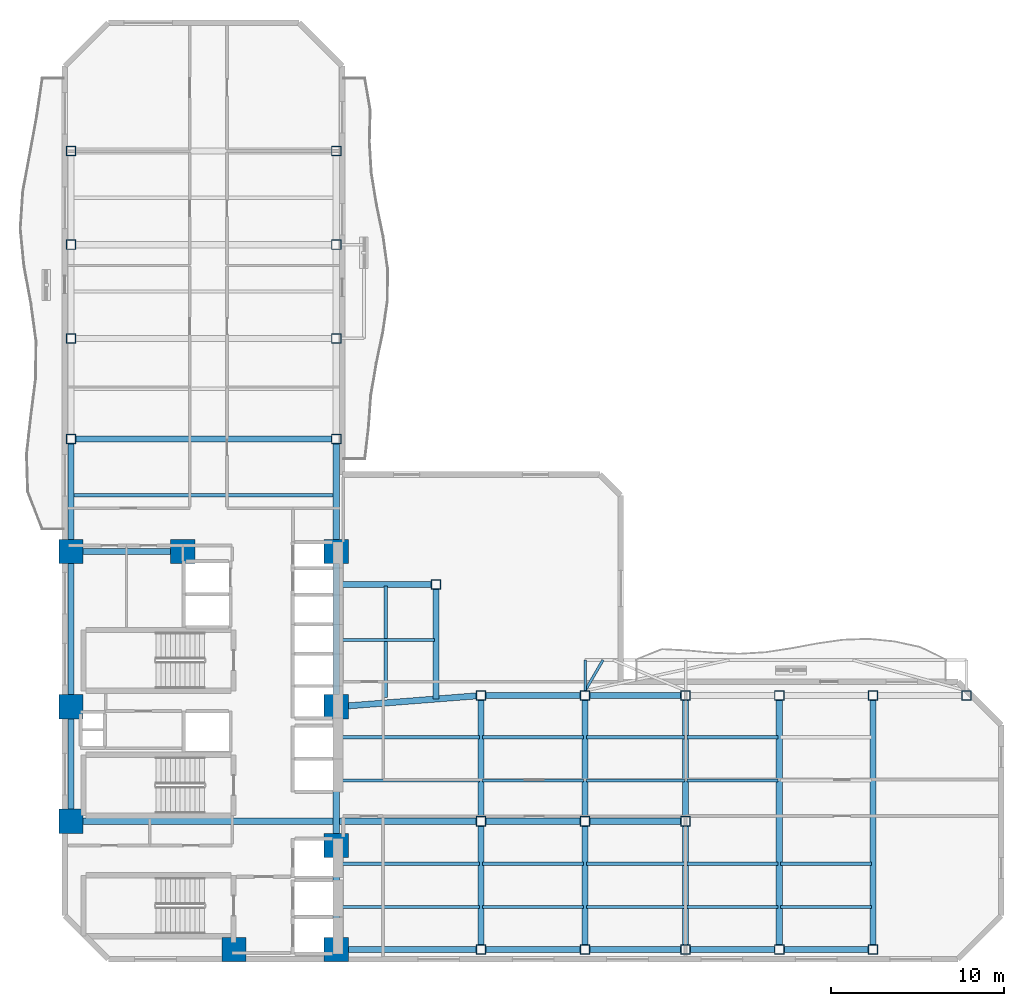
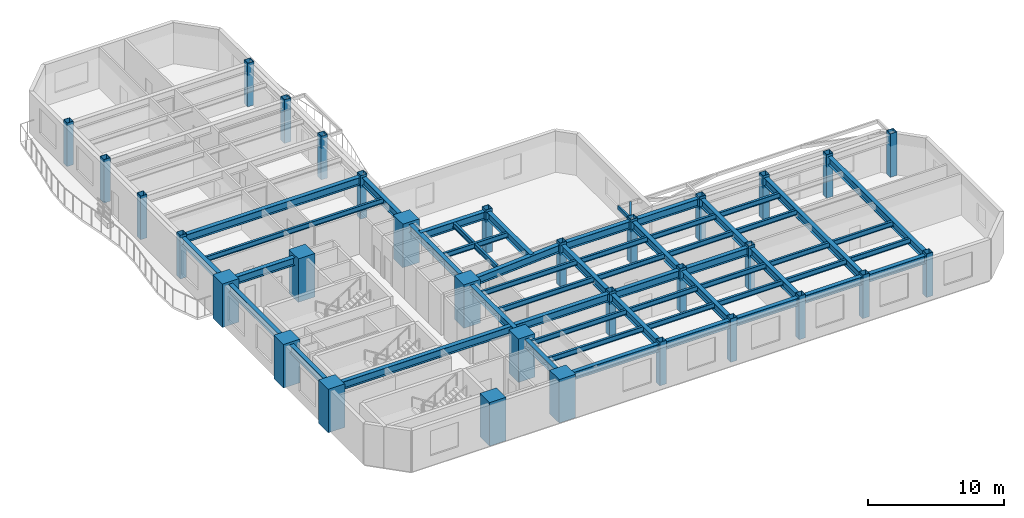
# One storey, part 1 of 10: 53 beams, 32 columns.
"""IFC4 building model written with IfcOpenShell, lengths in metres."""

from ifc_helpers import new_model, si_unit, direction, frame, origin, origin_2d, place, context, subcontext, project, spatial, rectangle, hollow_rectangle, i_section, extrude, material, material_profile, profile_set, type_object, element, save


model = new_model("IFC4")

# Units and contexts
model_context = context("Model", 3, precision=1e-05, world=origin(), true_north=direction((0.0, 1.0)))
body_context = subcontext(model_context, "Body", "Model", "MODEL_VIEW")
ifc_project = project(units=[si_unit("LENGTHUNIT", "METRE"), si_unit("AREAUNIT", "SQUARE_METRE"), si_unit("VOLUMEUNIT", "CUBIC_METRE"), si_unit("PLANEANGLEUNIT", "RADIAN"), si_unit("MASSUNIT", "GRAM", prefix="KILO")], contexts=[model_context])

# Site, building, storey
site_placement = place(None, origin())
site = spatial("IfcSite", under=ifc_project, at=site_placement, CompositionType="ELEMENT")
building_placement = place(site_placement, origin())
building = spatial("IfcBuilding", under=site, at=building_placement, Name="Mawjaban Terraces University", CompositionType="ELEMENT")
storey_placement = place(building_placement, frame((0.0, 0.0, 46.60009765625)))
storey = spatial("IfcBuildingStorey", under=building, at=storey_placement, Name="L10", CompositionType="ELEMENT", Elevation=46.60009765625)

# Columns
ifc_material_1 = material(Name="Concrete C70/85", Category="concrete")
ifc_material_profile_1 = material_profile(ifc_material_1, rectangle(XDim=1.39990234375, YDim=1.39990234375, at=origin_2d()), Name="RC1400X1400")
ifc_profile_set_1 = profile_set([ifc_material_profile_1], Name="Concrete C70/85")
column_type_1 = type_object("IfcColumnType", Name="Col_RC1400X1400", PredefinedType="COLUMN", material=ifc_profile_set_1)
for number, where, z_axis, x_axis, name in (
    (1, (31.75, 0.550048828125, 0.0), (0.0, 0.0, 1.0), (1.0, 0.0, 0.0), "L10 Column CC2"),
    (2, (37.64990234375, 0.550048828125, 0.0), (0.0, 0.0, 1.0), (1.0, 0.0, 0.0), "L10 Column CC3"),
    (3, (22.35009765625, 7.949951171875, 0.0), (0.0, 0.0, 1.0), (1.0, 0.0, 0.0), "L10 Column CC4"),
    (4, (37.64990234375, 6.550048828125, 0.0), (0.0, 0.0, 1.0), (1.0, 0.0, 0.0), "L10 Column CC5"),
    (5, (22.35009765625, 14.550048828125, 0.0), (0.0, 0.0, 1.0), (1.0, 0.0, 0.0), "L10 Column CC6"),
    (6, (37.64990234375, 14.550048828125, 0.0), (0.0, 0.0, 1.0), (1.0, 0.0, 0.0), "L10 Column CC7"),
    (7, (22.35009765625, 23.5, 0.0), (0.0, 0.0, 1.0), (1.0, 0.0, 0.0), "L10 Column CC8"),
    (8, (28.800048828125, 23.5, 0.0), (0.0, 0.0, 1.0), (1.0, 0.0, 0.0), "L10 Column CC9"),
    (9, (37.64990234375, 23.5, 0.0), (0.0, 0.0, 1.0), (1.0, 0.0, 0.0), "L10 Column CC10"),
):
    element("IfcColumn", number, at=place(storey_placement, frame(where, z_axis=z_axis, x_axis=x_axis)), inside=storey, type_object=column_type_1, Name=name, PredefinedType="COLUMN", context=body_context, shape_type="SweptSolid", body=[
        extrude(rectangle(XDim=1.39990234375, YDim=1.39990234375, at=origin_2d()), origin(), (0.0, 0.0, 1.0), 3.89990234375),
    ])
ifc_material_2 = material(Name="Steel EN 10210-1 S355J2H", Category="steel")
ifc_material_profile_2 = material_profile(ifc_material_2, hollow_rectangle(XDim=0.550048828125, YDim=0.550048828125, WallThickness=0.02490234375, at=origin_2d()), Name="SHS550X550X25")
ifc_profile_set_2 = profile_set([ifc_material_profile_2], Name="Steel EN 10210-1 S355J2H")
column_type_2 = type_object("IfcColumnType", Name="Col_SHS550X550X25", PredefinedType="COLUMN", material=ifc_profile_set_2)
for number, where, z_axis, x_axis, name in (
    (10, (46.0, 0.550048828125, 0.0), (0.0, 0.0, 1.0), (1.0, 0.0, 0.0), "L10 Column TE-460-005"),
    (11, (46.0, 7.949951171875, 0.0), (0.0, 0.0, 1.0), (1.0, 0.0, 0.0), "L10 Column TE-460-080"),
    (12, (46.0, 15.199951171875, 0.0), (0.0, 0.0, 1.0), (1.0, 0.0, 0.0), "L10 Column TE-460-152"),
    (13, (52.0, 0.550048828125, 0.0), (0.0, 0.0, 1.0), (1.0, 0.0, 0.0), "L10 Column TE-520-005"),
    (14, (52.0, 7.949951171875, 0.0), (0.0, 0.0, 1.0), (1.0, 0.0, 0.0), "L10 Column TE-520-080"),
    (15, (52.0, 15.199951171875, 0.0), (0.0, 0.0, 1.0), (1.0, 0.0, 0.0), "L10 Column TE-520-152"),
    (16, (57.800048828125, 0.550048828125, 0.0), (0.0, 0.0, 1.0), (1.0, 0.0, 0.0), "L10 Column TE-578-005"),
    (17, (57.800048828125, 7.949951171875, 0.0), (0.0, 0.0, 1.0), (1.0, 0.0, 0.0), "L10 Column TE-578-080"),
    (18, (57.800048828125, 15.199951171875, 0.0), (0.0, 0.0, 1.0), (1.0, 0.0, 0.0), "L10 Column TE-578-152"),
    (19, (63.199951171875, 0.550048828125, 0.0), (0.0, 0.0, 1.0), (1.0, 0.0, 0.0), "L10 Column TE-632-005"),
    (20, (63.199951171875, 15.199951171875, 0.0), (0.0, 0.0, 1.0), (1.0, 0.0, 0.0), "L10 Column TE-632-152"),
    (21, (68.60009765625, 0.550048828125, 0.0), (0.0, 0.0, 1.0), (1.0, 0.0, 0.0), "L10 Column TE-686-005"),
    (22, (68.60009765625, 15.199951171875, 0.0), (0.0, 0.0, 1.0), (1.0, 0.0, 0.0), "L10 Column TE-686-152"),
    (23, (74.0, 15.199951171875, 0.0), (0.0, 0.0, 1.0), (1.0, 0.0, 0.0), "L10 Column TE-740-152"),
    (24, (22.35009765625, 30.0, 0.0), (0.0, 0.0, 1.0), (1.0, 0.0, 0.0), "L10 Column TN-223-300"),
    (25, (37.64990234375, 30.0, 0.0), (0.0, 0.0, 1.0), (1.0, 0.0, 0.0), "L10 Column TN-376-300"),
    (26, (22.35009765625, 35.800048828125, 0.0), (0.0, 0.0, 1.0), (1.0, 0.0, 0.0), "L10 Column TN-223-358"),
    (27, (37.64990234375, 35.800048828125, 0.0), (0.0, 0.0, 1.0), (1.0, 0.0, 0.0), "L10 Column TN-376-358"),
    (28, (22.35009765625, 41.199951171875, 0.0), (0.0, 0.0, 1.0), (1.0, 0.0, 0.0), "L10 Column TN-223-412"),
    (29, (37.64990234375, 41.199951171875, 0.0), (0.0, 0.0, 1.0), (1.0, 0.0, 0.0), "L10 Column TN-376-412"),
    (30, (22.35009765625, 46.60009765625, 0.0), (0.0, 0.0, 1.0), (1.0, 0.0, 0.0), "L10 Column TN-223-466"),
    (31, (37.64990234375, 46.60009765625, 0.0), (0.0, 0.0, 1.0), (1.0, 0.0, 0.0), "L10 Column TN-376-466"),
    (32, (43.39990234375, 21.60009765625, 0.0), (0.0, 0.0, 1.0), (1.0, 0.0, 0.0), "L10 Column TS-434-216"),
):
    element("IfcColumn", number, at=place(storey_placement, frame(where, z_axis=z_axis, x_axis=x_axis)), inside=storey, type_object=column_type_2, Name=name, PredefinedType="COLUMN", context=body_context, shape_type="SweptSolid", body=[
        extrude(hollow_rectangle(XDim=0.550048828125, YDim=0.550048828125, WallThickness=0.02490234375, at=origin_2d()), origin(), (0.0, 0.0, 1.0), 3.89990234375),
    ])

# Beams
ifc_material_profile_3 = material_profile(ifc_material_2, hollow_rectangle(XDim=0.14990234375, YDim=0.300048828125, WallThickness=0.012451171875, at=origin_2d()), Name="RHS300X150X12.5")
ifc_profile_set_3 = profile_set([ifc_material_profile_3], Name="Steel EN 10210-1 S355J2H")
beam_type_1 = type_object("IfcBeamType", Name="BalconyCantileverSpandrel_RHS", PredefinedType="SPANDREL", material=ifc_profile_set_3)
beam_1_placement = place(storey_placement, frame((52.0, 15.47509765625, 3.539794921875), z_axis=(0.0, 1.0, 0.0), x_axis=(-1.0, 0.0, 0.0)))
element("IfcBeam", 33, at=beam_1_placement, inside=storey, type_object=beam_type_1, Name="L10 Exterior Outrigger BAL-L11-N.1", PredefinedType="SPANDREL", context=body_context, shape_type="SweptSolid", body=[
    extrude(hollow_rectangle(XDim=0.14990234375, YDim=0.300048828125, WallThickness=0.012451171875, at=origin_2d()), origin(), (0.0, 0.0, 1.0), 1.77490234375),
])
beam_2_placement = place(storey_placement, frame((52.0, 15.47509765625, 3.539794921875), z_axis=(0.503708475778, 0.863873701087, 0.0), x_axis=(-0.863873701087, 0.503708475778, 0.0)))
element("IfcBeam", 34, at=beam_2_placement, inside=storey, type_object=beam_type_1, Name="L10 Exterior Diagonal Strut TER-L11-CLIMB.1", PredefinedType="SPANDREL", context=body_context, shape_type="SweptSolid", body=[
    extrude(hollow_rectangle(XDim=0.14990234375, YDim=0.300048828125, WallThickness=0.012451171875, at=origin_2d()), origin(), (0.0, 0.0, 1.0), 2.0546875),
])
ifc_material_3 = material(Name="Steel ASTM A572 Grade 50", Category="steel")
ifc_material_profile_4 = material_profile(ifc_material_3, i_section(OverallWidth=0.35498046875, OverallDepth=0.695068359375, WebThickness=0.015380859375, FlangeThickness=0.02490234375, at=origin_2d()), Name="W690X217")
ifc_profile_set_4 = profile_set([ifc_material_profile_4], Name="Steel ASTM A572 Grade 50")
beam_type_2 = type_object("IfcBeamType", Name="Beam_B_W690X217", PredefinedType="BEAM", material=ifc_profile_set_4)
beam_3_placement = place(storey_placement, frame((38.35009765625, 0.550048828125, 3.343017578125), z_axis=(1.0, 0.0, 0.0), x_axis=(0.0, 1.0, 0.0)))
element("IfcBeam", 35, at=beam_3_placement, inside=storey, type_object=beam_type_2, Name="L10 Beam BM-L10-EW-01", PredefinedType="BEAM", context=body_context, shape_type="SweptSolid", body=[
    extrude(i_section(OverallWidth=0.35498046875, OverallDepth=0.695068359375, WebThickness=0.015380859375, FlangeThickness=0.02490234375, at=origin_2d()), origin(), (0.0, 0.0, 1.0), 7.375),
])
beam_4_placement = place(storey_placement, frame((46.27490234375, 0.550048828125, 3.343017578125), z_axis=(1.0, 0.0, 0.0), x_axis=(0.0, 1.0, 0.0)))
element("IfcBeam", 36, at=beam_4_placement, inside=storey, type_object=beam_type_2, Name="L10 Beam BM-L10-EW-02", PredefinedType="BEAM", context=body_context, shape_type="SweptSolid", body=[
    extrude(i_section(OverallWidth=0.35498046875, OverallDepth=0.695068359375, WebThickness=0.015380859375, FlangeThickness=0.02490234375, at=origin_2d()), origin(), (0.0, 0.0, 1.0), 5.4501953125),
])
beam_5_placement = place(storey_placement, frame((52.27490234375, 0.550048828125, 3.343017578125), z_axis=(1.0, 0.0, 0.0), x_axis=(0.0, 1.0, 0.0)))
element("IfcBeam", 37, at=beam_5_placement, inside=storey, type_object=beam_type_2, Name="L10 Beam BM-L10-EW-03", PredefinedType="BEAM", context=body_context, shape_type="SweptSolid", body=[
    extrude(i_section(OverallWidth=0.35498046875, OverallDepth=0.695068359375, WebThickness=0.015380859375, FlangeThickness=0.02490234375, at=origin_2d()), origin(), (0.0, 0.0, 1.0), 5.25),
])
beam_6_placement = place(storey_placement, frame((58.074951171875, 0.550048828125, 3.343017578125), z_axis=(1.0, 0.0, 0.0), x_axis=(0.0, 1.0, 0.0)))
element("IfcBeam", 38, at=beam_6_placement, inside=storey, type_object=beam_type_2, Name="L10 Beam BM-L10-EW-04", PredefinedType="BEAM", context=body_context, shape_type="SweptSolid", body=[
    extrude(i_section(OverallWidth=0.35498046875, OverallDepth=0.695068359375, WebThickness=0.015380859375, FlangeThickness=0.02490234375, at=origin_2d()), origin(), (0.0, 0.0, 1.0), 4.85009765625),
])
beam_7_placement = place(storey_placement, frame((63.47509765625, 0.550048828125, 3.343017578125), z_axis=(1.0, 0.0, 0.0), x_axis=(0.0, 1.0, 0.0)))
element("IfcBeam", 39, at=beam_7_placement, inside=storey, type_object=beam_type_2, Name="L10 Beam BM-L10-EW-05", PredefinedType="BEAM", context=body_context, shape_type="SweptSolid", body=[
    extrude(i_section(OverallWidth=0.35498046875, OverallDepth=0.695068359375, WebThickness=0.015380859375, FlangeThickness=0.02490234375, at=origin_2d()), origin(), (0.0, 0.0, 1.0), 4.849853515625),
])
beam_8_placement = place(storey_placement, frame((23.050048828125, 7.949951171875, 3.343017578125), z_axis=(1.0, 0.0, 0.0), x_axis=(0.0, 1.0, 0.0)))
element("IfcBeam", 40, at=beam_8_placement, inside=storey, type_object=beam_type_2, Name="L10 Beam BM-L10-EW-06", PredefinedType="BEAM", context=body_context, shape_type="SweptSolid", body=[
    extrude(i_section(OverallWidth=0.35498046875, OverallDepth=0.695068359375, WebThickness=0.015380859375, FlangeThickness=0.02490234375, at=origin_2d()), origin(), (0.0, 0.0, 1.0), 22.675048828125),
])
beam_9_placement = place(storey_placement, frame((46.27490234375, 7.949951171875, 3.343017578125), z_axis=(1.0, 0.0, 0.0), x_axis=(0.0, 1.0, 0.0)))
element("IfcBeam", 41, at=beam_9_placement, inside=storey, type_object=beam_type_2, Name="L10 Beam BM-L10-EW-07", PredefinedType="BEAM", context=body_context, shape_type="SweptSolid", body=[
    extrude(i_section(OverallWidth=0.35498046875, OverallDepth=0.695068359375, WebThickness=0.015380859375, FlangeThickness=0.02490234375, at=origin_2d()), origin(), (0.0, 0.0, 1.0), 5.4501953125),
])
beam_10_placement = place(storey_placement, frame((52.27490234375, 7.949951171875, 3.343017578125), z_axis=(1.0, 0.0, 0.0), x_axis=(0.0, 1.0, 0.0)))
element("IfcBeam", 42, at=beam_10_placement, inside=storey, type_object=beam_type_2, Name="L10 Beam BM-L10-EW-08", PredefinedType="BEAM", context=body_context, shape_type="SweptSolid", body=[
    extrude(i_section(OverallWidth=0.35498046875, OverallDepth=0.695068359375, WebThickness=0.015380859375, FlangeThickness=0.02490234375, at=origin_2d()), origin(), (0.0, 0.0, 1.0), 5.25),
])
beam_11_placement = place(storey_placement, frame((46.27490234375, 15.199951171875, 3.343017578125), z_axis=(1.0, 0.0, 0.0), x_axis=(0.0, 1.0, 0.0)))
element("IfcBeam", 43, at=beam_11_placement, inside=storey, type_object=beam_type_2, Name="L10 Beam BM-L10-EW-09", PredefinedType="BEAM", context=body_context, shape_type="SweptSolid", body=[
    extrude(i_section(OverallWidth=0.35498046875, OverallDepth=0.695068359375, WebThickness=0.015380859375, FlangeThickness=0.02490234375, at=origin_2d()), origin(), (0.0, 0.0, 1.0), 5.4501953125),
])
beam_12_placement = place(storey_placement, frame((52.27490234375, 15.199951171875, 3.343017578125), z_axis=(1.0, 0.0, 0.0), x_axis=(0.0, 1.0, 0.0)))
element("IfcBeam", 44, at=beam_12_placement, inside=storey, type_object=beam_type_2, Name="L10 Beam BM-L10-EW-10", PredefinedType="BEAM", context=body_context, shape_type="SweptSolid", body=[
    extrude(i_section(OverallWidth=0.35498046875, OverallDepth=0.695068359375, WebThickness=0.015380859375, FlangeThickness=0.02490234375, at=origin_2d()), origin(), (0.0, 0.0, 1.0), 5.25),
])
beam_13_placement = place(storey_placement, frame((23.050048828125, 23.5, 3.343017578125), z_axis=(1.0, 0.0, 0.0), x_axis=(0.0, 1.0, 0.0)))
element("IfcBeam", 45, at=beam_13_placement, inside=storey, type_object=beam_type_2, Name="L10 Beam BM-L10-EW-14", PredefinedType="BEAM", context=body_context, shape_type="SweptSolid", body=[
    extrude(i_section(OverallWidth=0.35498046875, OverallDepth=0.695068359375, WebThickness=0.015380859375, FlangeThickness=0.02490234375, at=origin_2d()), origin(), (0.0, 0.0, 1.0), 5.050048828125),
])
beam_14_placement = place(storey_placement, frame((22.625, 30.0, 3.343017578125), z_axis=(1.0, 0.0, 0.0), x_axis=(0.0, 1.0, 0.0)))
element("IfcBeam", 46, at=beam_14_placement, inside=storey, type_object=beam_type_2, Name="L10 Beam BM-L10-EW-15", PredefinedType="BEAM", context=body_context, shape_type="SweptSolid", body=[
    extrude(i_section(OverallWidth=0.35498046875, OverallDepth=0.695068359375, WebThickness=0.015380859375, FlangeThickness=0.02490234375, at=origin_2d()), origin(), (0.0, 0.0, 1.0), 14.75),
])
beam_15_placement = place(storey_placement, frame((22.35009765625, 8.64990234375, 3.343017578125), z_axis=(0.0, 1.0, 0.0), x_axis=(-1.0, 0.0, 0.0)))
element("IfcBeam", 47, at=beam_15_placement, inside=storey, type_object=beam_type_2, Name="L10 Beam BM-L10-NS-01", PredefinedType="BEAM", context=body_context, shape_type="SweptSolid", body=[
    extrude(i_section(OverallWidth=0.35498046875, OverallDepth=0.695068359375, WebThickness=0.015380859375, FlangeThickness=0.02490234375, at=origin_2d()), origin(), (0.0, 0.0, 1.0), 5.2001953125),
])
beam_16_placement = place(storey_placement, frame((22.35009765625, 15.25, 3.343017578125), z_axis=(0.0, 1.0, 0.0), x_axis=(-1.0, 0.0, 0.0)))
element("IfcBeam", 48, at=beam_16_placement, inside=storey, type_object=beam_type_2, Name="L10 Beam BM-L10-NS-02", PredefinedType="BEAM", context=body_context, shape_type="SweptSolid", body=[
    extrude(i_section(OverallWidth=0.35498046875, OverallDepth=0.695068359375, WebThickness=0.015380859375, FlangeThickness=0.02490234375, at=origin_2d()), origin(), (0.0, 0.0, 1.0), 7.550048828125),
])
beam_17_placement = place(storey_placement, frame((22.35009765625, 24.199951171875, 3.343017578125), z_axis=(0.0, 1.0, 0.0), x_axis=(-1.0, 0.0, 0.0)))
element("IfcBeam", 49, at=beam_17_placement, inside=storey, type_object=beam_type_2, Name="L10 Beam BM-L10-NS-03", PredefinedType="BEAM", context=body_context, shape_type="SweptSolid", body=[
    extrude(i_section(OverallWidth=0.35498046875, OverallDepth=0.695068359375, WebThickness=0.015380859375, FlangeThickness=0.02490234375, at=origin_2d()), origin(), (0.0, 0.0, 1.0), 5.525146484375),
])
beam_18_placement = place(storey_placement, frame((37.64990234375, 1.25, 3.343017578125), z_axis=(0.0, 1.0, 0.0), x_axis=(-1.0, 0.0, 0.0)))
element("IfcBeam", 50, at=beam_18_placement, inside=storey, type_object=beam_type_2, Name="L10 Beam BM-L10-NS-07", PredefinedType="BEAM", context=body_context, shape_type="SweptSolid", body=[
    extrude(i_section(OverallWidth=0.35498046875, OverallDepth=0.695068359375, WebThickness=0.015380859375, FlangeThickness=0.02490234375, at=origin_2d()), origin(), (0.0, 0.0, 1.0), 4.60009765625),
])
beam_19_placement = place(storey_placement, frame((37.64990234375, 7.25, 3.343017578125), z_axis=(0.0, 1.0, 0.0), x_axis=(-1.0, 0.0, 0.0)))
element("IfcBeam", 51, at=beam_19_placement, inside=storey, type_object=beam_type_2, Name="L10 Beam BM-L10-NS-08", PredefinedType="BEAM", context=body_context, shape_type="SweptSolid", body=[
    extrude(i_section(OverallWidth=0.35498046875, OverallDepth=0.695068359375, WebThickness=0.015380859375, FlangeThickness=0.02490234375, at=origin_2d()), origin(), (0.0, 0.0, 1.0), 6.60009765625),
])
beam_20_placement = place(storey_placement, frame((37.64990234375, 15.25, 3.343017578125), z_axis=(0.0, 1.0, 0.0), x_axis=(-1.0, 0.0, 0.0)))
element("IfcBeam", 52, at=beam_20_placement, inside=storey, type_object=beam_type_2, Name="L10 Beam BM-L10-NS-09", PredefinedType="BEAM", context=body_context, shape_type="SweptSolid", body=[
    extrude(i_section(OverallWidth=0.35498046875, OverallDepth=0.695068359375, WebThickness=0.015380859375, FlangeThickness=0.02490234375, at=origin_2d()), origin(), (0.0, 0.0, 1.0), 7.550048828125),
])
beam_21_placement = place(storey_placement, frame((37.64990234375, 24.199951171875, 3.343017578125), z_axis=(0.0, 1.0, 0.0), x_axis=(-1.0, 0.0, 0.0)))
element("IfcBeam", 53, at=beam_21_placement, inside=storey, type_object=beam_type_2, Name="L10 Beam BM-L10-NS-10", PredefinedType="BEAM", context=body_context, shape_type="SweptSolid", body=[
    extrude(i_section(OverallWidth=0.35498046875, OverallDepth=0.695068359375, WebThickness=0.015380859375, FlangeThickness=0.02490234375, at=origin_2d()), origin(), (0.0, 0.0, 1.0), 5.525146484375),
])
beam_22_placement = place(storey_placement, frame((46.0, 0.824951171875, 3.343017578125), z_axis=(0.0, 1.0, 0.0), x_axis=(-1.0, 0.0, 0.0)))
element("IfcBeam", 54, at=beam_22_placement, inside=storey, type_object=beam_type_2, Name="L10 Beam BM-L10-NS-14", PredefinedType="BEAM", context=body_context, shape_type="SweptSolid", body=[
    extrude(i_section(OverallWidth=0.35498046875, OverallDepth=0.695068359375, WebThickness=0.015380859375, FlangeThickness=0.02490234375, at=origin_2d()), origin(), (0.0, 0.0, 1.0), 6.85009765625),
])
beam_23_placement = place(storey_placement, frame((46.0, 8.22509765625, 3.343017578125), z_axis=(0.0, 1.0, 0.0), x_axis=(-1.0, 0.0, 0.0)))
element("IfcBeam", 55, at=beam_23_placement, inside=storey, type_object=beam_type_2, Name="L10 Beam BM-L10-NS-15", PredefinedType="BEAM", context=body_context, shape_type="SweptSolid", body=[
    extrude(i_section(OverallWidth=0.35498046875, OverallDepth=0.695068359375, WebThickness=0.015380859375, FlangeThickness=0.02490234375, at=origin_2d()), origin(), (0.0, 0.0, 1.0), 6.699951171875),
])
beam_24_placement = place(storey_placement, frame((52.0, 0.824951171875, 3.343017578125), z_axis=(0.0, 1.0, 0.0), x_axis=(-1.0, 0.0, 0.0)))
element("IfcBeam", 56, at=beam_24_placement, inside=storey, type_object=beam_type_2, Name="L10 Beam BM-L10-NS-16", PredefinedType="BEAM", context=body_context, shape_type="SweptSolid", body=[
    extrude(i_section(OverallWidth=0.35498046875, OverallDepth=0.695068359375, WebThickness=0.015380859375, FlangeThickness=0.02490234375, at=origin_2d()), origin(), (0.0, 0.0, 1.0), 6.85009765625),
])
beam_25_placement = place(storey_placement, frame((52.0, 8.22509765625, 3.343017578125), z_axis=(0.0, 1.0, 0.0), x_axis=(-1.0, 0.0, 0.0)))
element("IfcBeam", 57, at=beam_25_placement, inside=storey, type_object=beam_type_2, Name="L10 Beam BM-L10-NS-17", PredefinedType="BEAM", context=body_context, shape_type="SweptSolid", body=[
    extrude(i_section(OverallWidth=0.35498046875, OverallDepth=0.695068359375, WebThickness=0.015380859375, FlangeThickness=0.02490234375, at=origin_2d()), origin(), (0.0, 0.0, 1.0), 6.699951171875),
])
beam_26_placement = place(storey_placement, frame((57.800048828125, 0.824951171875, 3.343017578125), z_axis=(0.0, 1.0, 0.0), x_axis=(-1.0, 0.0, 0.0)))
element("IfcBeam", 58, at=beam_26_placement, inside=storey, type_object=beam_type_2, Name="L10 Beam BM-L10-NS-18", PredefinedType="BEAM", context=body_context, shape_type="SweptSolid", body=[
    extrude(i_section(OverallWidth=0.35498046875, OverallDepth=0.695068359375, WebThickness=0.015380859375, FlangeThickness=0.02490234375, at=origin_2d()), origin(), (0.0, 0.0, 1.0), 6.85009765625),
])
beam_27_placement = place(storey_placement, frame((57.800048828125, 8.22509765625, 3.343017578125), z_axis=(0.0, 1.0, 0.0), x_axis=(-1.0, 0.0, 0.0)))
element("IfcBeam", 59, at=beam_27_placement, inside=storey, type_object=beam_type_2, Name="L10 Beam BM-L10-NS-19", PredefinedType="BEAM", context=body_context, shape_type="SweptSolid", body=[
    extrude(i_section(OverallWidth=0.35498046875, OverallDepth=0.695068359375, WebThickness=0.015380859375, FlangeThickness=0.02490234375, at=origin_2d()), origin(), (0.0, 0.0, 1.0), 6.699951171875),
])
for number, where, z_axis, x_axis, name in (
    (60, (63.199951171875, 0.824951171875, 3.343017578125), (0.0, 1.0, 0.0), (-1.0, 0.0, 0.0), "L10 Beam BM-L10-NS-20"),
    (61, (68.60009765625, 0.824951171875, 3.343017578125), (0.0, 1.0, 0.0), (-1.0, 0.0, 0.0), "L10 Beam BM-L10-NS-21"),
):
    element("IfcBeam", number, at=place(storey_placement, frame(where, z_axis=z_axis, x_axis=x_axis)), inside=storey, type_object=beam_type_2, Name=name, PredefinedType="BEAM", context=body_context, shape_type="SweptSolid", body=[
        extrude(i_section(OverallWidth=0.35498046875, OverallDepth=0.695068359375, WebThickness=0.015380859375, FlangeThickness=0.02490234375, at=origin_2d()), origin(), (0.0, 0.0, 1.0), 14.10009765625),
    ])
beam_28_placement = place(storey_placement, frame((38.347900390625, 14.60400390625, 3.343017578125), z_axis=(0.996977531908, 0.077690416851, 0.0), x_axis=(-0.077690416851, 0.996977531908, 0.0)))
element("IfcBeam", 62, at=beam_28_placement, inside=storey, type_object=beam_type_2, Name="L10 Beam BM-L10-CTIE", PredefinedType="BEAM", context=body_context, shape_type="SweptSolid", body=[
    extrude(i_section(OverallWidth=0.35498046875, OverallDepth=0.695068359375, WebThickness=0.015380859375, FlangeThickness=0.02490234375, at=origin_2d()), origin(), (0.0, 0.0, 1.0), 7.400634765625),
])
beam_29_placement = place(storey_placement, frame((37.679931640625, 21.60009765625, 3.343017578125), z_axis=(1.0, 0.0, 0.0), x_axis=(0.0, 1.0, 0.0)))
element("IfcBeam", 63, at=beam_29_placement, inside=storey, type_object=beam_type_2, Name="L10 Spur Tie Girder West", PredefinedType="BEAM", context=body_context, shape_type="SweptSolid", body=[
    extrude(i_section(OverallWidth=0.35498046875, OverallDepth=0.695068359375, WebThickness=0.015380859375, FlangeThickness=0.02490234375, at=origin_2d()), origin(), (0.0, 0.0, 1.0), 5.445068359375),
])
beam_30_placement = place(storey_placement, frame((43.39990234375, 15.0, 3.343017578125), z_axis=(0.0, 1.0, 0.0), x_axis=(-1.0, 0.0, 0.0)))
element("IfcBeam", 64, at=beam_30_placement, inside=storey, type_object=beam_type_2, Name="L10 Spur Tie Girder South", PredefinedType="BEAM", context=body_context, shape_type="SweptSolid", body=[
    extrude(i_section(OverallWidth=0.35498046875, OverallDepth=0.695068359375, WebThickness=0.015380859375, FlangeThickness=0.02490234375, at=origin_2d()), origin(), (0.0, 0.0, 1.0), 6.324951171875),
])
ifc_material_profile_5 = material_profile(ifc_material_3, i_section(OverallWidth=0.19189453125, OverallDepth=0.462890625, WebThickness=0.010498046875, FlangeThickness=0.017578125, at=origin_2d()), Name="W460X89")
ifc_profile_set_5 = profile_set([ifc_material_profile_5], Name="Steel ASTM A572 Grade 50")
beam_type_3 = type_object("IfcBeamType", Name="Beam_J_W460X89", PredefinedType="JOIST", material=ifc_profile_set_5)
beam_31_placement = place(storey_placement, frame((37.72998046875, 3.0, 3.458984375), z_axis=(1.0, 0.0, 0.0), x_axis=(0.0, 1.0, 0.0)))
element("IfcBeam", 65, at=beam_31_placement, inside=storey, type_object=beam_type_3, Name="L10 Composite Joist JST-L10-01", PredefinedType="JOIST", context=body_context, shape_type="SweptSolid", body=[
    extrude(i_section(OverallWidth=0.19189453125, OverallDepth=0.462890625, WebThickness=0.010498046875, FlangeThickness=0.017578125, at=origin_2d()), origin(), (0.0, 0.0, 1.0), 8.18994140625),
])
beam_32_placement = place(storey_placement, frame((46.080078125, 3.0, 3.458984375), z_axis=(1.0, 0.0, 0.0), x_axis=(0.0, 1.0, 0.0)))
element("IfcBeam", 66, at=beam_32_placement, inside=storey, type_object=beam_type_3, Name="L10 Composite Joist JST-L10-02", PredefinedType="JOIST", context=body_context, shape_type="SweptSolid", body=[
    extrude(i_section(OverallWidth=0.19189453125, OverallDepth=0.462890625, WebThickness=0.010498046875, FlangeThickness=0.017578125, at=origin_2d()), origin(), (0.0, 0.0, 1.0), 5.83984375),
])
beam_33_placement = place(storey_placement, frame((52.080078125, 3.0, 3.458984375), z_axis=(1.0, 0.0, 0.0), x_axis=(0.0, 1.0, 0.0)))
element("IfcBeam", 67, at=beam_33_placement, inside=storey, type_object=beam_type_3, Name="L10 Composite Joist JST-L10-03", PredefinedType="JOIST", context=body_context, shape_type="SweptSolid", body=[
    extrude(i_section(OverallWidth=0.19189453125, OverallDepth=0.462890625, WebThickness=0.010498046875, FlangeThickness=0.017578125, at=origin_2d()), origin(), (0.0, 0.0, 1.0), 5.639892578125),
])
beam_34_placement = place(storey_placement, frame((57.8798828125, 3.0, 3.458984375), z_axis=(1.0, 0.0, 0.0), x_axis=(0.0, 1.0, 0.0)))
element("IfcBeam", 68, at=beam_34_placement, inside=storey, type_object=beam_type_3, Name="L10 Composite Joist JST-L10-04", PredefinedType="JOIST", context=body_context, shape_type="SweptSolid", body=[
    extrude(i_section(OverallWidth=0.19189453125, OverallDepth=0.462890625, WebThickness=0.010498046875, FlangeThickness=0.017578125, at=origin_2d()), origin(), (0.0, 0.0, 1.0), 5.240234375),
])
beam_35_placement = place(storey_placement, frame((63.280029296875, 3.0, 3.458984375), z_axis=(1.0, 0.0, 0.0), x_axis=(0.0, 1.0, 0.0)))
element("IfcBeam", 69, at=beam_35_placement, inside=storey, type_object=beam_type_3, Name="L10 Composite Joist JST-L10-05", PredefinedType="JOIST", context=body_context, shape_type="SweptSolid", body=[
    extrude(i_section(OverallWidth=0.19189453125, OverallDepth=0.462890625, WebThickness=0.010498046875, FlangeThickness=0.017578125, at=origin_2d()), origin(), (0.0, 0.0, 1.0), 5.239990234375),
])
beam_36_placement = place(storey_placement, frame((37.72998046875, 5.5, 3.458984375), z_axis=(1.0, 0.0, 0.0), x_axis=(0.0, 1.0, 0.0)))
element("IfcBeam", 70, at=beam_36_placement, inside=storey, type_object=beam_type_3, Name="L10 Composite Joist JST-L10-06", PredefinedType="JOIST", context=body_context, shape_type="SweptSolid", body=[
    extrude(i_section(OverallWidth=0.19189453125, OverallDepth=0.462890625, WebThickness=0.010498046875, FlangeThickness=0.017578125, at=origin_2d()), origin(), (0.0, 0.0, 1.0), 8.18994140625),
])
beam_37_placement = place(storey_placement, frame((46.080078125, 5.5, 3.458984375), z_axis=(1.0, 0.0, 0.0), x_axis=(0.0, 1.0, 0.0)))
element("IfcBeam", 71, at=beam_37_placement, inside=storey, type_object=beam_type_3, Name="L10 Composite Joist JST-L10-07", PredefinedType="JOIST", context=body_context, shape_type="SweptSolid", body=[
    extrude(i_section(OverallWidth=0.19189453125, OverallDepth=0.462890625, WebThickness=0.010498046875, FlangeThickness=0.017578125, at=origin_2d()), origin(), (0.0, 0.0, 1.0), 5.83984375),
])
beam_38_placement = place(storey_placement, frame((52.080078125, 5.5, 3.458984375), z_axis=(1.0, 0.0, 0.0), x_axis=(0.0, 1.0, 0.0)))
element("IfcBeam", 72, at=beam_38_placement, inside=storey, type_object=beam_type_3, Name="L10 Composite Joist JST-L10-08", PredefinedType="JOIST", context=body_context, shape_type="SweptSolid", body=[
    extrude(i_section(OverallWidth=0.19189453125, OverallDepth=0.462890625, WebThickness=0.010498046875, FlangeThickness=0.017578125, at=origin_2d()), origin(), (0.0, 0.0, 1.0), 5.639892578125),
])
beam_39_placement = place(storey_placement, frame((57.8798828125, 5.5, 3.458984375), z_axis=(1.0, 0.0, 0.0), x_axis=(0.0, 1.0, 0.0)))
element("IfcBeam", 73, at=beam_39_placement, inside=storey, type_object=beam_type_3, Name="L10 Composite Joist JST-L10-09", PredefinedType="JOIST", context=body_context, shape_type="SweptSolid", body=[
    extrude(i_section(OverallWidth=0.19189453125, OverallDepth=0.462890625, WebThickness=0.010498046875, FlangeThickness=0.017578125, at=origin_2d()), origin(), (0.0, 0.0, 1.0), 5.240234375),
])
beam_40_placement = place(storey_placement, frame((63.280029296875, 5.5, 3.458984375), z_axis=(1.0, 0.0, 0.0), x_axis=(0.0, 1.0, 0.0)))
element("IfcBeam", 74, at=beam_40_placement, inside=storey, type_object=beam_type_3, Name="L10 Composite Joist JST-L10-10", PredefinedType="JOIST", context=body_context, shape_type="SweptSolid", body=[
    extrude(i_section(OverallWidth=0.19189453125, OverallDepth=0.462890625, WebThickness=0.010498046875, FlangeThickness=0.017578125, at=origin_2d()), origin(), (0.0, 0.0, 1.0), 5.239990234375),
])
beam_41_placement = place(storey_placement, frame((37.72998046875, 10.300048828125, 3.458984375), z_axis=(1.0, 0.0, 0.0), x_axis=(0.0, 1.0, 0.0)))
element("IfcBeam", 75, at=beam_41_placement, inside=storey, type_object=beam_type_3, Name="L10 Composite Joist JST-L10-11", PredefinedType="JOIST", context=body_context, shape_type="SweptSolid", body=[
    extrude(i_section(OverallWidth=0.19189453125, OverallDepth=0.462890625, WebThickness=0.010498046875, FlangeThickness=0.017578125, at=origin_2d()), origin(), (0.0, 0.0, 1.0), 8.18994140625),
])
beam_42_placement = place(storey_placement, frame((46.080078125, 10.300048828125, 3.458984375), z_axis=(1.0, 0.0, 0.0), x_axis=(0.0, 1.0, 0.0)))
element("IfcBeam", 76, at=beam_42_placement, inside=storey, type_object=beam_type_3, Name="L10 Composite Joist JST-L10-12", PredefinedType="JOIST", context=body_context, shape_type="SweptSolid", body=[
    extrude(i_section(OverallWidth=0.19189453125, OverallDepth=0.462890625, WebThickness=0.010498046875, FlangeThickness=0.017578125, at=origin_2d()), origin(), (0.0, 0.0, 1.0), 5.83984375),
])
beam_43_placement = place(storey_placement, frame((52.080078125, 10.300048828125, 3.458984375), z_axis=(1.0, 0.0, 0.0), x_axis=(0.0, 1.0, 0.0)))
element("IfcBeam", 77, at=beam_43_placement, inside=storey, type_object=beam_type_3, Name="L10 Composite Joist JST-L10-13", PredefinedType="JOIST", context=body_context, shape_type="SweptSolid", body=[
    extrude(i_section(OverallWidth=0.19189453125, OverallDepth=0.462890625, WebThickness=0.010498046875, FlangeThickness=0.017578125, at=origin_2d()), origin(), (0.0, 0.0, 1.0), 5.639892578125),
])
beam_44_placement = place(storey_placement, frame((57.8798828125, 10.300048828125, 3.458984375), z_axis=(1.0, 0.0, 0.0), x_axis=(0.0, 1.0, 0.0)))
element("IfcBeam", 78, at=beam_44_placement, inside=storey, type_object=beam_type_3, Name="L10 Composite Joist JST-L10-14", PredefinedType="JOIST", context=body_context, shape_type="SweptSolid", body=[
    extrude(i_section(OverallWidth=0.19189453125, OverallDepth=0.462890625, WebThickness=0.010498046875, FlangeThickness=0.017578125, at=origin_2d()), origin(), (0.0, 0.0, 1.0), 5.240234375),
])
beam_45_placement = place(storey_placement, frame((37.72998046875, 12.800048828125, 3.458984375), z_axis=(1.0, 0.0, 0.0), x_axis=(0.0, 1.0, 0.0)))
element("IfcBeam", 79, at=beam_45_placement, inside=storey, type_object=beam_type_3, Name="L10 Composite Joist JST-L10-16", PredefinedType="JOIST", context=body_context, shape_type="SweptSolid", body=[
    extrude(i_section(OverallWidth=0.19189453125, OverallDepth=0.462890625, WebThickness=0.010498046875, FlangeThickness=0.017578125, at=origin_2d()), origin(), (0.0, 0.0, 1.0), 8.18994140625),
])
beam_46_placement = place(storey_placement, frame((46.080078125, 12.800048828125, 3.458984375), z_axis=(1.0, 0.0, 0.0), x_axis=(0.0, 1.0, 0.0)))
element("IfcBeam", 80, at=beam_46_placement, inside=storey, type_object=beam_type_3, Name="L10 Composite Joist JST-L10-17", PredefinedType="JOIST", context=body_context, shape_type="SweptSolid", body=[
    extrude(i_section(OverallWidth=0.19189453125, OverallDepth=0.462890625, WebThickness=0.010498046875, FlangeThickness=0.017578125, at=origin_2d()), origin(), (0.0, 0.0, 1.0), 5.83984375),
])
beam_47_placement = place(storey_placement, frame((52.080078125, 12.800048828125, 3.458984375), z_axis=(1.0, 0.0, 0.0), x_axis=(0.0, 1.0, 0.0)))
element("IfcBeam", 81, at=beam_47_placement, inside=storey, type_object=beam_type_3, Name="L10 Composite Joist JST-L10-18", PredefinedType="JOIST", context=body_context, shape_type="SweptSolid", body=[
    extrude(i_section(OverallWidth=0.19189453125, OverallDepth=0.462890625, WebThickness=0.010498046875, FlangeThickness=0.017578125, at=origin_2d()), origin(), (0.0, 0.0, 1.0), 5.639892578125),
])
beam_48_placement = place(storey_placement, frame((57.8798828125, 12.800048828125, 3.458984375), z_axis=(1.0, 0.0, 0.0), x_axis=(0.0, 1.0, 0.0)))
element("IfcBeam", 82, at=beam_48_placement, inside=storey, type_object=beam_type_3, Name="L10 Composite Joist JST-L10-19", PredefinedType="JOIST", context=body_context, shape_type="SweptSolid", body=[
    extrude(i_section(OverallWidth=0.19189453125, OverallDepth=0.462890625, WebThickness=0.010498046875, FlangeThickness=0.017578125, at=origin_2d()), origin(), (0.0, 0.0, 1.0), 5.240234375),
])
beam_49_placement = place(storey_placement, frame((37.72998046875, 18.39990234375, 3.458984375), z_axis=(1.0, 0.0, 0.0), x_axis=(0.0, 1.0, 0.0)))
element("IfcBeam", 83, at=beam_49_placement, inside=storey, type_object=beam_type_3, Name="L10 Composite Joist JST-L10-21", PredefinedType="JOIST", context=body_context, shape_type="SweptSolid", body=[
    extrude(i_section(OverallWidth=0.19189453125, OverallDepth=0.462890625, WebThickness=0.010498046875, FlangeThickness=0.017578125, at=origin_2d()), origin(), (0.0, 0.0, 1.0), 5.590087890625),
])
beam_50_placement = place(storey_placement, frame((22.429931640625, 26.75, 3.458984375), z_axis=(1.0, 0.0, 0.0), x_axis=(0.0, 1.0, 0.0)))
element("IfcBeam", 84, at=beam_50_placement, inside=storey, type_object=beam_type_3, Name="L10 Composite Joist JST-L10-22", PredefinedType="JOIST", context=body_context, shape_type="SweptSolid", body=[
    extrude(i_section(OverallWidth=0.19189453125, OverallDepth=0.462890625, WebThickness=0.010498046875, FlangeThickness=0.017578125, at=origin_2d()), origin(), (0.0, 0.0, 1.0), 15.14013671875),
])
beam_51_placement = place(storey_placement, frame((40.5, 15.080078125, 3.458984375), z_axis=(0.0, 1.0, 0.0), x_axis=(-1.0, 0.0, 0.0)))
element("IfcBeam", 85, at=beam_51_placement, inside=storey, type_object=beam_type_3, Name="L10 Composite Joist JST-L10-NS-26", PredefinedType="JOIST", context=body_context, shape_type="SweptSolid", body=[
    extrude(i_section(OverallWidth=0.19189453125, OverallDepth=0.462890625, WebThickness=0.010498046875, FlangeThickness=0.017578125, at=origin_2d()), origin(), (0.0, 0.0, 1.0), 6.43994140625),
])

save(model, "model.ifc")
